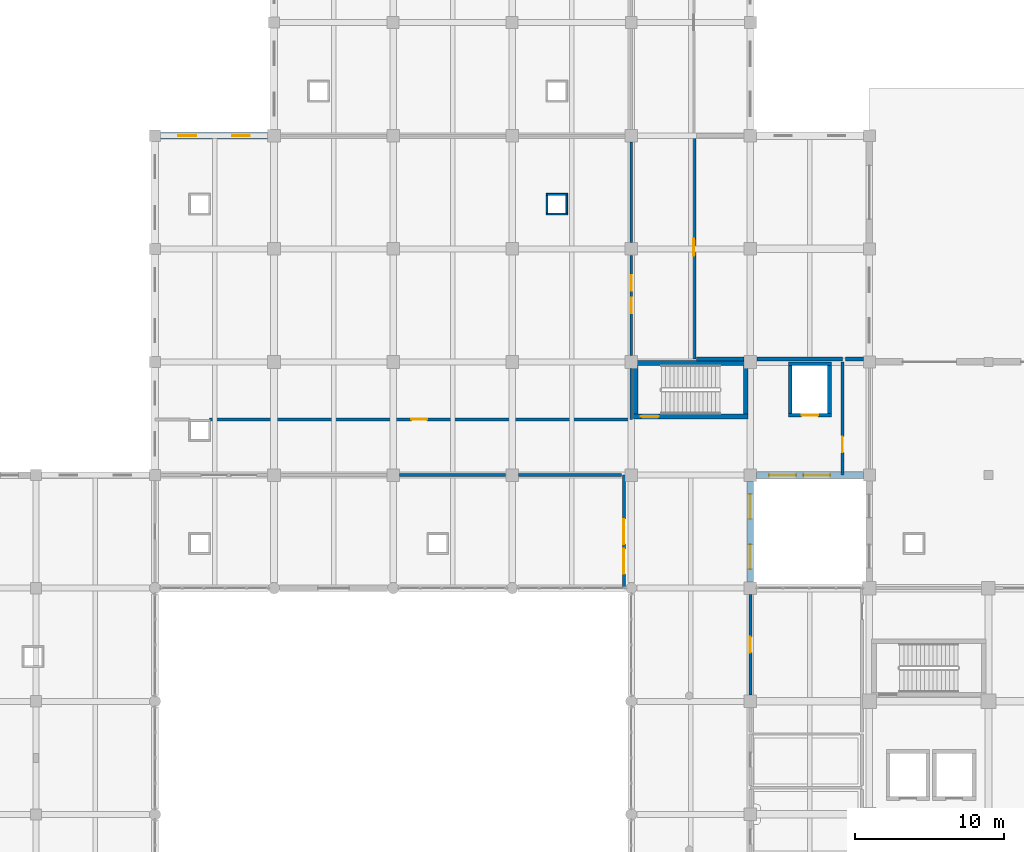
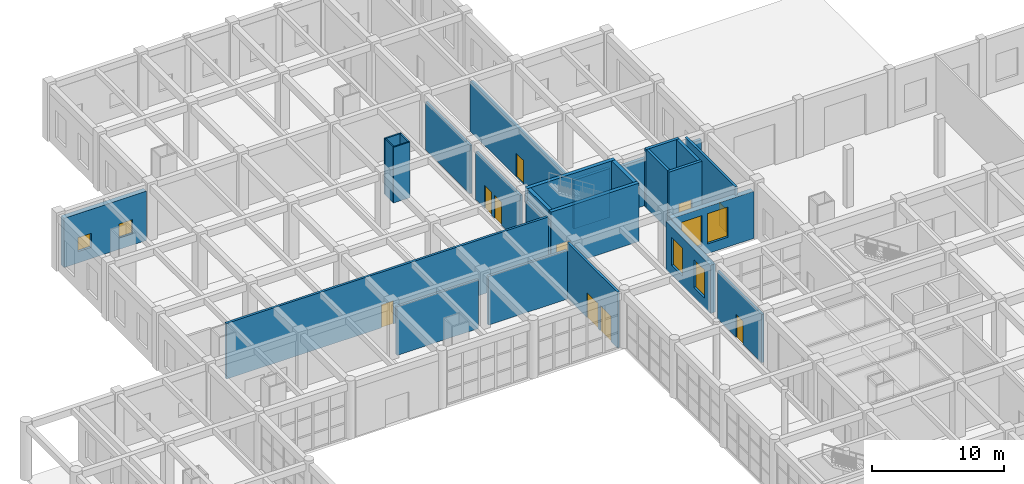
# One storey, part 76 of 95: 28 walls, 10 doors, 6 windows, 16 openings.
"""IFC4 building model written with IfcOpenShell, lengths in metres."""

from ifc_helpers import new_model, si_unit, direction, frame, frame_2d, origin, place, context, subcontext, project, spatial, rectangle, extrude, material, layer, layer_set, type_object, element, fill, save


model = new_model("IFC4")

# Units and contexts
model_context = context("Model", 3, precision=1e-05, world=origin(), true_north=direction((0.0, 1.0)))
body_context = subcontext(model_context, "Body", "Model", "MODEL_VIEW")
ifc_project = project(units=[si_unit("LENGTHUNIT", "METRE"), si_unit("AREAUNIT", "SQUARE_METRE"), si_unit("VOLUMEUNIT", "CUBIC_METRE"), si_unit("PLANEANGLEUNIT", "RADIAN"), si_unit("MASSUNIT", "GRAM", prefix="KILO")], contexts=[model_context])

# Site, building, storey
site_placement = place(None, origin())
site = spatial("IfcSite", under=ifc_project, at=site_placement, CompositionType="ELEMENT")
building_placement = place(site_placement, origin())
building = spatial("IfcBuilding", under=site, at=building_placement, Name="Zantavel Square City Hall", CompositionType="ELEMENT")
storey_placement = place(building_placement, origin())
storey = spatial("IfcBuildingStorey", under=building, at=storey_placement, Name="L01", CompositionType="ELEMENT", Elevation=0.0)

# Wall, opening, door
ifc_material_1 = material(Name="Concrete C35/45", Category="concrete")
ifc_layer_1 = layer(ifc_material_1, 0.280029296875, Name="Concrete C35/45")
ifc_layer_set_1 = layer_set([ifc_layer_1], Name="Concrete C35/45")
wall_type_1 = type_object("IfcWallType", Name="Archive & Substation Vault Wall 280mm", PredefinedType="STANDARD", material=ifc_layer_set_1)
wall_1_placement = place(storey_placement, frame((52.199951171875, 98.800048828125, 0.0), z_axis=(0.0, 0.0, 1.0), x_axis=(0.0, -1.0, 0.0)))
wall_1 = element("IfcWall", 1, at=wall_1_placement, inside=storey, type_object=wall_type_1, Name="L01 Interior Wall IW-L01-0070", PredefinedType="STANDARD", context=body_context, shape_type="SweptSolid", body=[
    extrude(rectangle(XDim=15.0, YDim=0.280029296875, at=frame_2d((7.5, 0.0))), origin(), (0.0, 0.0, 1.0), 4.659912109375),
])
opening_1_placement = place(wall_1_placement, frame((6.925048828125, 0.0, 0.0)))
opening_1 = element("IfcOpeningElement", 2, at=opening_1_placement, cuts=wall_1, Name="Opening D-0029", PredefinedType="OPENING", context=body_context, shape_type="SweptSolid", body=[
    extrude(rectangle(XDim=1.14990234375, YDim=2.199951171875, at=frame_2d((0.574951171875, 1.10009765625))), frame((0.0, 0.14990234375, 0.0), z_axis=(0.0, -1.0, 0.0), x_axis=(1.0, 0.0, 0.0)), (0.0, 0.0, 1.0), 0.300048828125),
])
ifc_material_2 = material(Name="Steel ASTM A500 Grade B", Category="steel")
door_type_1 = type_object("IfcDoorType", Name="Archive & Plant Fire Door 1150x2200 FD90S", OperationType="NOTDEFINED", PredefinedType="DOOR", material=ifc_material_2)
door_1_placement = place(opening_1_placement, origin())
door_1 = element("IfcDoor", 3, at=door_1_placement, inside=storey, type_object=door_type_1, Name="L01 Municipal Service Loading Dock Door", OperationType="SINGLE_SWING_LEFT", OverallHeight=2.199951171875, OverallWidth=1.14990234375, PredefinedType="DOOR", context=body_context, shape_type="SweptSolid", body=[
    extrude(rectangle(XDim=1.14990234375, YDim=2.199951171875, at=frame_2d((0.574951171875, 1.10009765625))), frame((0.0, 0.02490234375, 0.0), z_axis=(0.0, -1.0, 0.0), x_axis=(1.0, 0.0, 0.0)), (0.0, 0.0, 1.0), 0.050048828125),
])
fill(opening_1, door_1)

# Walls
wall_2_placement = place(storey_placement, frame((52.389892578125, 83.800048828125, 0.0), z_axis=(0.0, 0.0, 1.0), x_axis=(1.0, 0.0, 0.0)))
element("IfcWall", 4, at=wall_2_placement, inside=storey, type_object=wall_type_1, Name="L01 Interior Wall IW-L01-0087", PredefinedType="STANDARD", context=body_context, shape_type="SweptSolid", body=[
    extrude(rectangle(XDim=3.175048828125, YDim=0.280029296875, at=frame_2d((1.58740234375, 0.0))), origin(), (0.0, 0.0, 1.0), 4.510009765625),
])
wall_3_placement = place(storey_placement, frame((56.43505859375, 83.800048828125, 0.0), z_axis=(0.0, 0.0, 1.0), x_axis=(1.0, 0.0, 0.0)))
element("IfcWall", 5, at=wall_3_placement, inside=storey, type_object=wall_type_1, Name="L01 Interior Wall IW-L01-0088", PredefinedType="STANDARD", context=body_context, shape_type="SweptSolid", body=[
    extrude(rectangle(XDim=5.764892578125, YDim=0.280029296875, at=frame_2d((2.88232421875, 0.0))), origin(), (0.0, 0.0, 1.0), 4.360107421875),
])
wall_4_placement = place(storey_placement, frame((63.590087890625, 83.800048828125, 0.0), z_axis=(0.0, 0.0, 1.0), x_axis=(-1.0, 0.0, 0.0)))
element("IfcWall", 6, at=wall_4_placement, inside=storey, type_object=wall_type_1, Name="L01 Interior Wall IW-L01-0102", PredefinedType="STANDARD", context=body_context, shape_type="SweptSolid", body=[
    extrude(rectangle(XDim=1.2001953125, YDim=0.280029296875, at=frame_2d((0.60009765625, 0.0))), origin(), (0.0, 0.0, 1.0), 4.360107421875),
])

# Wall, opening, door
ifc_material_3 = material(Name="Concrete C40/50", Category="concrete")
ifc_layer_2 = layer(ifc_material_3, 0.320068359375, Name="Concrete C40/50")
ifc_layer_set_2 = layer_set([ifc_layer_2], Name="Concrete C40/50")
wall_type_2 = type_object("IfcWallType", Name="Core Shear Wall RC 320mm C40/50", PredefinedType="SHEAR", material=ifc_layer_set_2)
wall_5_placement = place(storey_placement, frame((55.85009765625, 79.93994140625, 0.0), z_axis=(0.0, 0.0, 1.0), x_axis=(-1.0, 0.0, 0.0)))
wall_5 = element("IfcWall", 7, at=wall_5_placement, inside=storey, type_object=wall_type_2, Name="L01 Exit Stair 1 North-West Core Shear Wall South", PredefinedType="SHEAR", context=body_context, shape_type="SweptSolid", body=[
    extrude(rectangle(XDim=7.7001953125, YDim=0.320068359375, at=frame_2d((3.85009765625, 0.0))), origin(), (0.0, 0.0, 1.0), 5.39990234375),
])
opening_2_placement = place(wall_5_placement, frame((6.0, 0.0, 0.0)))
opening_2 = element("IfcOpeningElement", 8, at=opening_2_placement, cuts=wall_5, Name="Opening SD-002", PredefinedType="OPENING", context=body_context, shape_type="SweptSolid", body=[
    extrude(rectangle(XDim=1.199951171875, YDim=2.199951171875, at=frame_2d((0.60009765625, 1.10009765625))), frame((0.0, 0.169921875, 0.0), z_axis=(0.0, -1.0, 0.0), x_axis=(1.0, 0.0, 0.0)), (0.0, 0.0, 1.0), 0.340087890625),
])
door_type_2 = type_object("IfcDoorType", Name="Enclosed Exit Stairwell Fire Door 1200x2200 FD90S", OperationType="NOTDEFINED", PredefinedType="DOOR", material=ifc_material_2)
door_2_placement = place(opening_2_placement, origin())
door_2 = element("IfcDoor", 9, at=door_2_placement, inside=storey, type_object=door_type_2, Name="L01 Exit Stair 1 North-West Core Fire Door", OperationType="SINGLE_SWING_RIGHT", OverallHeight=2.199951171875, OverallWidth=1.199951171875, PredefinedType="DOOR", context=body_context, shape_type="SweptSolid", body=[
    extrude(rectangle(XDim=1.199951171875, YDim=2.199951171875, at=frame_2d((0.60009765625, 1.10009765625))), frame((0.0, 0.02490234375, 0.0), z_axis=(0.0, -1.0, 0.0), x_axis=(1.0, 0.0, 0.0)), (0.0, 0.0, 1.0), 0.050048828125),
])
fill(opening_2, door_2)

# Walls
wall_6_placement = place(storey_placement, frame((48.31005859375, 80.10009765625, 0.0), z_axis=(0.0, 0.0, 1.0), x_axis=(0.0, 1.0, 0.0)))
element("IfcWall", 10, at=wall_6_placement, inside=storey, type_object=wall_type_2, Name="L01 Exit Stair 1 North-West Core Shear Wall West", PredefinedType="SHEAR", context=body_context, shape_type="SweptSolid", body=[
    extrude(rectangle(XDim=3.27001953125, YDim=0.320068359375, at=frame_2d((1.635009765625, 0.0))), origin(), (0.0, 0.0, 1.0), 5.39990234375),
])
wall_7_placement = place(storey_placement, frame((48.14990234375, 83.530029296875, 0.0), z_axis=(0.0, 0.0, 1.0), x_axis=(1.0, 0.0, 0.0)))
element("IfcWall", 11, at=wall_7_placement, inside=storey, type_object=wall_type_2, Name="L01 Exit Stair 1 North-West Core Shear Wall North", PredefinedType="SHEAR", context=body_context, shape_type="SweptSolid", body=[
    extrude(rectangle(XDim=7.7001953125, YDim=0.320068359375, at=frame_2d((3.85009765625, 0.0))), origin(), (0.0, 0.0, 1.0), 5.39990234375),
])
wall_8_placement = place(storey_placement, frame((55.68994140625, 83.3701171875, 0.0), z_axis=(0.0, 0.0, 1.0), x_axis=(0.0, -1.0, 0.0)))
element("IfcWall", 12, at=wall_8_placement, inside=storey, type_object=wall_type_2, Name="L01 Exit Stair 1 North-West Core Shear Wall East", PredefinedType="SHEAR", context=body_context, shape_type="SweptSolid", body=[
    extrude(rectangle(XDim=3.27001953125, YDim=0.320068359375, at=frame_2d((1.635009765625, 0.0))), origin(), (0.0, 0.0, 1.0), 5.39990234375),
])

# Wall, openings, doors
ifc_material_4 = material(Name="Cantera volcanic tuff stone", Category="masonry")
ifc_layer_3 = layer(ifc_material_4, 0.199951171875, Name="Cantera volcanic tuff stone")
ifc_layer_set_3 = layer_set([ifc_layer_3], Name="Cantera volcanic tuff stone")
wall_type_3 = type_object("IfcWallType", Name="Exit Corridor Rated Wall 200mm", PredefinedType="STANDARD", material=ifc_layer_set_3)
wall_9_placement = place(storey_placement, frame((48.0, 84.034912109375, 0.0), z_axis=(0.0, 0.0, 1.0), x_axis=(0.0, 1.0, 0.0)))
wall_9 = element("IfcWall", 13, at=wall_9_placement, inside=storey, type_object=wall_type_3, Name="L01 Interior Wall IW-L01-0071", PredefinedType="STANDARD", context=body_context, shape_type="SweptSolid", body=[
    extrude(rectangle(XDim=6.72998046875, YDim=0.199951171875, at=frame_2d((3.364990234375, 0.0))), origin(), (0.0, 0.0, 1.0), 4.4599609375),
])
opening_3_placement = place(wall_9_placement, frame((2.840087890625, 0.0, 0.0)))
opening_3 = element("IfcOpeningElement", 14, at=opening_3_placement, cuts=wall_9, Name="Opening D-0030", PredefinedType="OPENING", context=body_context, shape_type="SweptSolid", body=[
    extrude(rectangle(XDim=1.050048828125, YDim=2.14990234375, at=frame_2d((0.52490234375, 1.074951171875))), frame((0.0, 0.10986328125, 0.0), z_axis=(0.0, -1.0, 0.0), x_axis=(1.0, 0.0, 0.0)), (0.0, 0.0, 1.0), 0.219970703125),
])
opening_4_placement = place(wall_9_placement, frame((4.340087890625, 0.0, 0.0)))
opening_4 = element("IfcOpeningElement", 15, at=opening_4_placement, cuts=wall_9, Name="Opening D-0063", PredefinedType="OPENING", context=body_context, shape_type="SweptSolid", body=[
    extrude(rectangle(XDim=1.050048828125, YDim=2.14990234375, at=frame_2d((0.52490234375, 1.074951171875))), frame((0.0, 0.10986328125, 0.0), z_axis=(0.0, -1.0, 0.0), x_axis=(1.0, 0.0, 0.0)), (0.0, 0.0, 1.0), 0.219970703125),
])
ifc_material_5 = material(Name="Solid oak hardwood", Category="wood")
door_type_3 = type_object("IfcDoorType", Name="Corridor Office Oak Fire Door 1050x2150 FD60S", OperationType="NOTDEFINED", PredefinedType="DOOR", material=ifc_material_5)
door_3_placement = place(opening_3_placement, origin())
door_3 = element("IfcDoor", 16, at=door_3_placement, inside=storey, type_object=door_type_3, Name="L01 Central Mailroom and Records Intake Door", OperationType="SINGLE_SWING_RIGHT", OverallHeight=2.14990234375, OverallWidth=1.050048828125, PredefinedType="DOOR", context=body_context, shape_type="SweptSolid", body=[
    extrude(rectangle(XDim=1.050048828125, YDim=2.14990234375, at=frame_2d((0.52490234375, 1.074951171875))), frame((0.0, 0.02490234375, 0.0), z_axis=(0.0, -1.0, 0.0), x_axis=(1.0, 0.0, 0.0)), (0.0, 0.0, 1.0), 0.050048828125),
])
fill(opening_3, door_3)
door_4_placement = place(opening_4_placement, origin())
door_4 = element("IfcDoor", 17, at=door_4_placement, inside=storey, type_object=door_type_3, Name="L01 Central Mailroom and Records Intake Door", OperationType="SINGLE_SWING_LEFT", OverallHeight=2.14990234375, OverallWidth=1.050048828125, PredefinedType="DOOR", context=body_context, shape_type="SweptSolid", body=[
    extrude(rectangle(XDim=1.050048828125, YDim=2.14990234375, at=frame_2d((0.52490234375, 1.074951171875))), frame((0.0, 0.02490234375, 0.0), z_axis=(0.0, -1.0, 0.0), x_axis=(1.0, 0.0, 0.0)), (0.0, 0.0, 1.0), 0.050048828125),
])
fill(opening_4, door_4)

# Walls
wall_10_placement = place(storey_placement, frame((48.0, 91.635009765625, 0.0), z_axis=(0.0, 0.0, 1.0), x_axis=(0.0, 1.0, 0.0)))
element("IfcWall", 18, at=wall_10_placement, inside=storey, type_object=wall_type_3, Name="L01 Interior Wall IW-L01-0072", PredefinedType="STANDARD", context=body_context, shape_type="SweptSolid", body=[
    extrude(rectangle(XDim=6.72998046875, YDim=0.199951171875, at=frame_2d((3.364990234375, 0.0))), origin(), (0.0, 0.0, 1.0), 4.4599609375),
])
wall_11_placement = place(storey_placement, frame((48.0, 79.75, 0.0), z_axis=(0.0, 0.0, 1.0), x_axis=(0.0, 1.0, 0.0)))
element("IfcWall", 19, at=wall_11_placement, inside=storey, type_object=wall_type_3, Name="L01 Interior Wall IW-L01-0089", PredefinedType="STANDARD", context=body_context, shape_type="SweptSolid", body=[
    extrude(rectangle(XDim=3.4150390625, YDim=0.199951171875, at=frame_2d((1.70751953125, 0.0))), origin(), (0.0, 0.0, 1.0), 4.4599609375),
])

# Wall, opening, door
wall_12_placement = place(storey_placement, frame((62.199951171875, 83.610107421875, 0.0), z_axis=(0.0, 0.0, 1.0), x_axis=(0.0, -1.0, 0.0)))
wall_12 = element("IfcWall", 20, at=wall_12_placement, inside=storey, type_object=wall_type_3, Name="L01 Interior Wall IW-L01-0090", PredefinedType="STANDARD", context=body_context, shape_type="SweptSolid", body=[
    extrude(rectangle(XDim=7.610107421875, YDim=0.199951171875, at=frame_2d((3.80517578125, 0.0))), origin(), (0.0, 0.0, 1.0), 5.159912109375),
])
opening_5_placement = place(wall_12_placement, frame((5.030029296875, 0.0, 0.0)))
opening_5 = element("IfcOpeningElement", 21, at=opening_5_placement, cuts=wall_12, Name="Opening D-0040", PredefinedType="OPENING", context=body_context, shape_type="SweptSolid", body=[
    extrude(rectangle(XDim=1.050048828125, YDim=2.14990234375, at=frame_2d((0.52490234375, 1.074951171875))), frame((0.0, 0.10986328125, 0.0), z_axis=(0.0, -1.0, 0.0), x_axis=(1.0, 0.0, 0.0)), (0.0, 0.0, 1.0), 0.219970703125),
])
door_5_placement = place(opening_5_placement, origin())
door_5 = element("IfcDoor", 22, at=door_5_placement, inside=storey, type_object=door_type_3, Name="L01 L01 Municipal Support Office 9 Door", OperationType="SINGLE_SWING_RIGHT", OverallHeight=2.14990234375, OverallWidth=1.050048828125, PredefinedType="DOOR", context=body_context, shape_type="SweptSolid", body=[
    extrude(rectangle(XDim=1.050048828125, YDim=2.14990234375, at=frame_2d((0.52490234375, 1.074951171875))), frame((0.0, 0.02490234375, 0.0), z_axis=(0.0, -1.0, 0.0), x_axis=(1.0, 0.0, 0.0)), (0.0, 0.0, 1.0), 0.050048828125),
])
fill(opening_5, door_5)

# Wall, openings, doors
wall_13_placement = place(storey_placement, frame((47.5, 76.0, 0.0), z_axis=(0.0, 0.0, 1.0), x_axis=(0.0, -1.0, 0.0)))
wall_13 = element("IfcWall", 23, at=wall_13_placement, inside=storey, type_object=wall_type_3, Name="L01 Interior Wall IW-L01-0104", PredefinedType="STANDARD", context=body_context, shape_type="SweptSolid", body=[
    extrude(rectangle(XDim=7.60009765625, YDim=0.199951171875, at=frame_2d((3.800048828125, 0.0))), origin(), (0.0, 0.0, 1.0), 5.159912109375),
])
opening_6_placement = place(wall_13_placement, frame((2.9599609375, 0.0, 0.0)))
opening_6 = element("IfcOpeningElement", 24, at=opening_6_placement, cuts=wall_13, Name="Opening D-0042", PredefinedType="OPENING", context=body_context, shape_type="SweptSolid", body=[
    extrude(rectangle(XDim=1.679931640625, YDim=2.340087890625, at=frame_2d((0.83984375, 1.169921875))), frame((0.0, 0.10986328125, 0.0), z_axis=(0.0, -1.0, 0.0), x_axis=(1.0, 0.0, 0.0)), (0.0, 0.0, 1.0), 0.219970703125),
])
opening_7_placement = place(wall_13_placement, frame((4.9599609375, 0.0, 0.0)))
opening_7 = element("IfcOpeningElement", 25, at=opening_7_placement, cuts=wall_13, Name="Opening D-0067", PredefinedType="OPENING", context=body_context, shape_type="SweptSolid", body=[
    extrude(rectangle(XDim=1.679931640625, YDim=2.340087890625, at=frame_2d((0.83984375, 1.169921875))), frame((0.0, 0.10986328125, 0.0), z_axis=(0.0, -1.0, 0.0), x_axis=(1.0, 0.0, 0.0)), (0.0, 0.0, 1.0), 0.219970703125),
])
door_type_4 = type_object("IfcDoorType", Name="Dining Servery Double Fire Door 1680x2340 FD60S", OperationType="NOTDEFINED", PredefinedType="DOOR", material=ifc_material_5)
door_6_placement = place(opening_6_placement, origin())
door_6 = element("IfcDoor", 26, at=door_6_placement, inside=storey, type_object=door_type_4, Name="L01 Public Courtyard Cafe Door", OperationType="DOUBLE_DOOR_SINGLE_SWING", OverallHeight=2.340087890625, OverallWidth=1.679931640625, PredefinedType="DOOR", context=body_context, shape_type="SweptSolid", body=[
    extrude(rectangle(XDim=1.679931640625, YDim=2.340087890625, at=frame_2d((0.83984375, 1.169921875))), frame((0.0, 0.02490234375, 0.0), z_axis=(0.0, -1.0, 0.0), x_axis=(1.0, 0.0, 0.0)), (0.0, 0.0, 1.0), 0.050048828125),
])
fill(opening_6, door_6)
door_7_placement = place(opening_7_placement, origin())
door_7 = element("IfcDoor", 27, at=door_7_placement, inside=storey, type_object=door_type_4, Name="L01 Public Courtyard Cafe Door", OperationType="DOUBLE_DOOR_SINGLE_SWING", OverallHeight=2.340087890625, OverallWidth=1.679931640625, PredefinedType="DOOR", context=body_context, shape_type="SweptSolid", body=[
    extrude(rectangle(XDim=1.679931640625, YDim=2.340087890625, at=frame_2d((0.83984375, 1.169921875))), frame((0.0, 0.02490234375, 0.0), z_axis=(0.0, -1.0, 0.0), x_axis=(1.0, 0.0, 0.0)), (0.0, 0.0, 1.0), 0.050048828125),
])
fill(opening_7, door_7)

# Walls
wall_14_placement = place(storey_placement, frame((32.43505859375, 76.0, 0.0), z_axis=(0.0, 0.0, 1.0), x_axis=(1.0, 0.0, 0.0)))
element("IfcWall", 28, at=wall_14_placement, inside=storey, type_object=wall_type_3, Name="L01 Interior Wall IW-L01-0107", PredefinedType="STANDARD", context=body_context, shape_type="SweptSolid", body=[
    extrude(rectangle(XDim=7.1298828125, YDim=0.199951171875, at=frame_2d((3.56494140625, 0.0))), origin(), (0.0, 0.0, 1.0), 4.510009765625),
])
wall_15_placement = place(storey_placement, frame((40.43505859375, 76.0, 0.0), z_axis=(0.0, 0.0, 1.0), x_axis=(1.0, 0.0, 0.0)))
element("IfcWall", 29, at=wall_15_placement, inside=storey, type_object=wall_type_3, Name="L01 Interior Wall IW-L01-0108", PredefinedType="STANDARD", context=body_context, shape_type="SweptSolid", body=[
    extrude(rectangle(XDim=6.9150390625, YDim=0.199951171875, at=frame_2d((3.45751953125, 0.0))), origin(), (0.0, 0.0, 1.0), 4.510009765625),
])

# Wall, opening, door
wall_16_placement = place(storey_placement, frame((47.85009765625, 79.75, 0.0), z_axis=(0.0, 0.0, 1.0), x_axis=(-1.0, 0.0, 0.0)))
wall_16 = element("IfcWall", 30, at=wall_16_placement, inside=storey, type_object=wall_type_3, Name="L01 Interior Wall IW-L01-0117", PredefinedType="STANDARD", context=body_context, shape_type="SweptSolid", body=[
    extrude(rectangle(XDim=28.195068359375, YDim=0.199951171875, at=frame_2d((14.09765625, 0.0))), origin(), (0.0, 0.0, 1.0), 5.159912109375),
])
opening_8_placement = place(wall_16_placement, frame((13.572509765625, 0.0, 0.0)))
opening_8 = element("IfcOpeningElement", 31, at=opening_8_placement, cuts=wall_16, Name="Opening D-0044", PredefinedType="OPENING", context=body_context, shape_type="SweptSolid", body=[
    extrude(rectangle(XDim=1.050048828125, YDim=2.14990234375, at=frame_2d((0.52490234375, 1.074951171875))), frame((0.0, 0.10986328125, 0.0), z_axis=(0.0, -1.0, 0.0), x_axis=(1.0, 0.0, 0.0)), (0.0, 0.0, 1.0), 0.219970703125),
])
door_8_placement = place(opening_8_placement, origin())
door_8 = element("IfcDoor", 32, at=door_8_placement, inside=storey, type_object=door_type_3, Name="L01 Central Mailroom and Records Intake Door", OperationType="SINGLE_SWING_RIGHT", OverallHeight=2.14990234375, OverallWidth=1.050048828125, PredefinedType="DOOR", context=body_context, shape_type="SweptSolid", body=[
    extrude(rectangle(XDim=1.050048828125, YDim=2.14990234375, at=frame_2d((0.52490234375, 1.074951171875))), frame((0.0, 0.02490234375, 0.0), z_axis=(0.0, -1.0, 0.0), x_axis=(1.0, 0.0, 0.0)), (0.0, 0.0, 1.0), 0.050048828125),
])
fill(opening_8, door_8)

wall_17_placement = place(storey_placement, frame((56.0, 67.965087890625, 0.0), z_axis=(0.0, 0.0, 1.0), x_axis=(0.0, -1.0, 0.0)))
wall_17 = element("IfcWall", 33, at=wall_17_placement, inside=storey, type_object=wall_type_3, Name="L01 Interior Wall IW-L01-0146", PredefinedType="STANDARD", context=body_context, shape_type="SweptSolid", body=[
    extrude(rectangle(XDim=6.72998046875, YDim=0.199951171875, at=frame_2d((3.364990234375, 0.0))), origin(), (0.0, 0.0, 1.0), 4.4599609375),
])
opening_9_placement = place(wall_17_placement, frame((2.840087890625, 0.0, 0.0)))
opening_9 = element("IfcOpeningElement", 34, at=opening_9_placement, cuts=wall_17, Name="Opening D-0054", PredefinedType="OPENING", context=body_context, shape_type="SweptSolid", body=[
    extrude(rectangle(XDim=1.050048828125, YDim=2.14990234375, at=frame_2d((0.52490234375, 1.074951171875))), frame((0.0, 0.10986328125, 0.0), z_axis=(0.0, -1.0, 0.0), x_axis=(1.0, 0.0, 0.0)), (0.0, 0.0, 1.0), 0.219970703125),
])
door_9_placement = place(opening_9_placement, origin())
door_9 = element("IfcDoor", 35, at=door_9_placement, inside=storey, type_object=door_type_3, Name="L01 L01 Municipal Support Office 2 Door", OperationType="SINGLE_SWING_RIGHT", OverallHeight=2.14990234375, OverallWidth=1.050048828125, PredefinedType="DOOR", context=body_context, shape_type="SweptSolid", body=[
    extrude(rectangle(XDim=1.050048828125, YDim=2.14990234375, at=frame_2d((0.52490234375, 1.074951171875))), frame((0.0, 0.02490234375, 0.0), z_axis=(0.0, -1.0, 0.0), x_axis=(1.0, 0.0, 0.0)), (0.0, 0.0, 1.0), 0.050048828125),
])
fill(opening_9, door_9)

ifc_layer_4 = layer(ifc_material_3, 0.25, Name="Concrete C40/50")
ifc_layer_set_4 = layer_set([ifc_layer_4], Name="Concrete C40/50")
wall_type_4 = type_object("IfcWallType", Name="Lift Shaft Wall RC 250mm C40/50", PredefinedType="SHEAR", material=ifc_layer_set_4)
wall_18_placement = place(storey_placement, frame((61.449951171875, 80.02490234375, 0.0), z_axis=(0.0, 0.0, 1.0), x_axis=(-1.0, 0.0, 0.0)))
wall_18 = element("IfcWall", 36, at=wall_18_placement, inside=storey, type_object=wall_type_4, Name="L01 Lift LF05 Shaft Wall South", PredefinedType="SHEAR", context=body_context, shape_type="SweptSolid", body=[
    extrude(rectangle(XDim=2.89990234375, YDim=0.25, at=frame_2d((1.449951171875, 0.0))), origin(), (0.0, 0.0, 1.0), 5.39990234375),
])
opening_10_placement = place(wall_18_placement, frame((0.89990234375, 0.0, 0.0)))
opening_10 = element("IfcOpeningElement", 37, at=opening_10_placement, cuts=wall_18, Name="Opening LD-LF05-L01", PredefinedType="OPENING", context=body_context, shape_type="SweptSolid", body=[
    extrude(rectangle(XDim=1.10009765625, YDim=2.14990234375, at=frame_2d((0.550048828125, 1.074951171875))), frame((0.0, 0.135009765625, 0.0), z_axis=(0.0, -1.0, 0.0), x_axis=(1.0, 0.0, 0.0)), (0.0, 0.0, 1.0), 0.27001953125),
])
ifc_material_6 = material(Name="Stainless steel 316", Category="steel")
door_type_5 = type_object("IfcDoorType", Name="Lift Landing Sliding Door 1100x2150 FD90S", OperationType="NOTDEFINED", PredefinedType="DOOR", material=ifc_material_6)
door_10_placement = place(opening_10_placement, origin())
door_10 = element("IfcDoor", 38, at=door_10_placement, inside=storey, type_object=door_type_5, Name="L01 Lift LF05 Sliding Landing Door", OperationType="DOUBLE_DOOR_SLIDING", OverallHeight=2.14990234375, OverallWidth=1.10009765625, PredefinedType="DOOR", context=body_context, shape_type="SweptSolid", body=[
    extrude(rectangle(XDim=1.10009765625, YDim=2.14990234375, at=frame_2d((0.550048828125, 1.074951171875))), frame((0.0, 0.02490234375, 0.0), z_axis=(0.0, -1.0, 0.0), x_axis=(1.0, 0.0, 0.0)), (0.0, 0.0, 1.0), 0.050048828125),
])
fill(opening_10, door_10)

# Walls
wall_19_placement = place(storey_placement, frame((58.675048828125, 80.14990234375, 0.0), z_axis=(0.0, 0.0, 1.0), x_axis=(0.0, 1.0, 0.0)))
element("IfcWall", 39, at=wall_19_placement, inside=storey, type_object=wall_type_4, Name="L01 Lift LF05 Shaft Wall West", PredefinedType="SHEAR", context=body_context, shape_type="SweptSolid", body=[
    extrude(rectangle(XDim=3.2001953125, YDim=0.25, at=frame_2d((1.60009765625, 0.0))), origin(), (0.0, 0.0, 1.0), 5.39990234375),
])
wall_20_placement = place(storey_placement, frame((58.550048828125, 83.47509765625, 0.0), z_axis=(0.0, 0.0, 1.0), x_axis=(1.0, 0.0, 0.0)))
element("IfcWall", 40, at=wall_20_placement, inside=storey, type_object=wall_type_4, Name="L01 Lift LF05 Shaft Wall North", PredefinedType="SHEAR", context=body_context, shape_type="SweptSolid", body=[
    extrude(rectangle(XDim=2.89990234375, YDim=0.25, at=frame_2d((1.449951171875, 0.0))), origin(), (0.0, 0.0, 1.0), 5.39990234375),
])
wall_21_placement = place(storey_placement, frame((61.324951171875, 83.35009765625, 0.0), z_axis=(0.0, 0.0, 1.0), x_axis=(0.0, -1.0, 0.0)))
element("IfcWall", 41, at=wall_21_placement, inside=storey, type_object=wall_type_4, Name="L01 Lift LF05 Shaft Wall East", PredefinedType="SHEAR", context=body_context, shape_type="SweptSolid", body=[
    extrude(rectangle(XDim=3.2001953125, YDim=0.25, at=frame_2d((1.60009765625, 0.0))), origin(), (0.0, 0.0, 1.0), 5.39990234375),
])
ifc_layer_5 = layer(ifc_material_1, 0.1201171875, Name="Concrete C35/45")
ifc_layer_set_5 = layer_set([ifc_layer_5], Name="Concrete C35/45")
wall_type_5 = type_object("IfcWallType", Name="Riser Chase Wall RC 120mm C35/45", PredefinedType="PARTITIONING", material=ifc_layer_set_5)
wall_22_placement = place(storey_placement, frame((43.719970703125, 93.5400390625, 0.0), z_axis=(0.0, 0.0, 1.0), x_axis=(-1.0, 0.0, 0.0)))
element("IfcWall", 42, at=wall_22_placement, inside=storey, type_object=wall_type_5, Name="L01 MEP Riser 28 Wall S", PredefinedType="PARTITIONING", context=body_context, shape_type="SweptSolid", body=[
    extrude(rectangle(XDim=1.43994140625, YDim=0.1201171875, at=frame_2d((0.719970703125, 0.0))), origin(), (0.0, 0.0, 1.0), 5.159912109375),
])
wall_23_placement = place(storey_placement, frame((42.340087890625, 93.60009765625, 0.0), z_axis=(0.0, 0.0, 1.0), x_axis=(0.0, 1.0, 0.0)))
element("IfcWall", 43, at=wall_23_placement, inside=storey, type_object=wall_type_5, Name="L01 MEP Riser 28 Wall W", PredefinedType="PARTITIONING", context=body_context, shape_type="SweptSolid", body=[
    extrude(rectangle(XDim=1.199951171875, YDim=0.1201171875, at=frame_2d((0.60009765625, 0.0))), origin(), (0.0, 0.0, 1.0), 5.159912109375),
])
wall_24_placement = place(storey_placement, frame((42.280029296875, 94.860107421875, 0.0), z_axis=(0.0, 0.0, 1.0), x_axis=(1.0, 0.0, 0.0)))
element("IfcWall", 44, at=wall_24_placement, inside=storey, type_object=wall_type_5, Name="L01 MEP Riser 28 Wall N", PredefinedType="PARTITIONING", context=body_context, shape_type="SweptSolid", body=[
    extrude(rectangle(XDim=1.43994140625, YDim=0.1201171875, at=frame_2d((0.719970703125, 0.0))), origin(), (0.0, 0.0, 1.0), 5.159912109375),
])
wall_25_placement = place(storey_placement, frame((43.659912109375, 94.800048828125, 0.0), z_axis=(0.0, 0.0, 1.0), x_axis=(0.0, -1.0, 0.0)))
element("IfcWall", 45, at=wall_25_placement, inside=storey, type_object=wall_type_5, Name="L01 MEP Riser 28 Wall E", PredefinedType="PARTITIONING", context=body_context, shape_type="SweptSolid", body=[
    extrude(rectangle(XDim=1.199951171875, YDim=0.1201171875, at=frame_2d((0.60009765625, 0.0))), origin(), (0.0, 0.0, 1.0), 5.159912109375),
])

# Wall, openings, windows
ifc_material_7 = material(Name="Tezontle volcanic basaltic scoria stone", Category="masonry")
ifc_layer_6 = layer(ifc_material_7, 0.43994140625, Name="Tezontle volcanic basaltic scoria stone")
ifc_layer_set_6 = layer_set([ifc_layer_6], Name="Tezontle volcanic basaltic scoria stone")
wall_type_6 = type_object("IfcWallType", Name="Tezontle Rusticated Plinth Wall 440mm", PredefinedType="STANDARD", material=ifc_layer_set_6)
wall_26_placement = place(storey_placement, frame((16.375, 98.800048828125, 0.0), z_axis=(0.0, 0.0, 1.0), x_axis=(1.0, 0.0, 0.0)))
wall_26 = element("IfcWall", 46, at=wall_26_placement, inside=storey, type_object=wall_type_6, Name="L01 Exterior Wall EW-L01-008", PredefinedType="STANDARD", context=body_context, shape_type="SweptSolid", body=[
    extrude(rectangle(XDim=7.199951171875, YDim=0.43994140625, at=frame_2d((3.60009765625, 0.0))), origin(), (0.0, 0.0, 1.0), 4.56005859375),
])
opening_11_placement = place(wall_26_placement, frame((1.199951171875, 0.0, 1.050048828125)))
opening_11 = element("IfcOpeningElement", 47, at=opening_11_placement, cuts=wall_26, Name="Opening W-014", PredefinedType="OPENING", context=body_context, shape_type="SweptSolid", body=[
    extrude(rectangle(XDim=1.199951171875, YDim=1.300048828125, at=frame_2d((0.60009765625, 0.64990234375))), frame((0.0, 0.22998046875, 0.0), z_axis=(0.0, -1.0, 0.0), x_axis=(1.0, 0.0, 0.0)), (0.0, 0.0, 1.0), 0.4599609375),
])
opening_12_placement = place(wall_26_placement, frame((4.800048828125, 0.0, 1.050048828125)))
opening_12 = element("IfcOpeningElement", 48, at=opening_12_placement, cuts=wall_26, Name="Opening W-015", PredefinedType="OPENING", context=body_context, shape_type="SweptSolid", body=[
    extrude(rectangle(XDim=1.199951171875, YDim=1.300048828125, at=frame_2d((0.60009765625, 0.64990234375))), frame((0.0, 0.22998046875, 0.0), z_axis=(0.0, -1.0, 0.0), x_axis=(1.0, 0.0, 0.0)), (0.0, 0.0, 1.0), 0.4599609375),
])
ifc_material_8 = material(Name="Tempered safety glass low-E double glazing", Category="glass")
window_type_1 = type_object("IfcWindowType", Name="Window Mailroom Clerestory 1200x1300", PartitioningType="SINGLE_PANEL", PredefinedType="WINDOW", material=ifc_material_8)
window_1_placement = place(opening_11_placement, origin())
window_1 = element("IfcWindow", 49, at=window_1_placement, inside=storey, type_object=window_type_1, Name="L01 Window W-014", OverallHeight=1.300048828125, OverallWidth=1.199951171875, PartitioningType="SINGLE_PANEL", PredefinedType="WINDOW", context=body_context, shape_type="SweptSolid", body=[
    extrude(rectangle(XDim=1.199951171875, YDim=1.300048828125, at=frame_2d((0.60009765625, 0.64990234375))), frame((0.0, 0.030029296875, 0.0), z_axis=(0.0, -1.0, 0.0), x_axis=(1.0, 0.0, 0.0)), (0.0, 0.0, 1.0), 0.06005859375),
])
fill(opening_11, window_1)
window_2_placement = place(opening_12_placement, origin())
window_2 = element("IfcWindow", 50, at=window_2_placement, inside=storey, type_object=window_type_1, Name="L01 Window W-015", OverallHeight=1.300048828125, OverallWidth=1.199951171875, PartitioningType="SINGLE_PANEL", PredefinedType="WINDOW", context=body_context, shape_type="SweptSolid", body=[
    extrude(rectangle(XDim=1.199951171875, YDim=1.300048828125, at=frame_2d((0.60009765625, 0.64990234375))), frame((0.0, 0.030029296875, 0.0), z_axis=(0.0, -1.0, 0.0), x_axis=(1.0, 0.0, 0.0)), (0.0, 0.0, 1.0), 0.06005859375),
])
fill(opening_12, window_2)

wall_27_placement = place(storey_placement, frame((56.0, 75.574951171875, 0.0), z_axis=(0.0, 0.0, 1.0), x_axis=(0.0, -1.0, 0.0)))
wall_27 = element("IfcWall", 51, at=wall_27_placement, inside=storey, type_object=wall_type_6, Name="L01 Exterior Wall EW-L01-101", PredefinedType="STANDARD", context=body_context, shape_type="SweptSolid", body=[
    extrude(rectangle(XDim=6.75, YDim=0.43994140625, at=frame_2d((3.375, 0.0))), origin(), (0.0, 0.0, 1.0), 4.4599609375),
])
opening_13_placement = place(wall_27_placement, frame((0.862548828125, 0.0, 0.89990234375)))
opening_13 = element("IfcOpeningElement", 52, at=opening_13_placement, cuts=wall_27, Name="Opening W-137", PredefinedType="OPENING", context=body_context, shape_type="SweptSolid", body=[
    extrude(rectangle(XDim=1.64990234375, YDim=2.60009765625, at=frame_2d((0.824951171875, 1.300048828125))), frame((0.0, 0.22998046875, 0.0), z_axis=(0.0, -1.0, 0.0), x_axis=(1.0, 0.0, 0.0)), (0.0, 0.0, 1.0), 0.4599609375),
])
opening_14_placement = place(wall_27_placement, frame((4.237548828125, 0.0, 0.89990234375)))
opening_14 = element("IfcOpeningElement", 53, at=opening_14_placement, cuts=wall_27, Name="Opening W-138", PredefinedType="OPENING", context=body_context, shape_type="SweptSolid", body=[
    extrude(rectangle(XDim=1.64990234375, YDim=2.60009765625, at=frame_2d((0.824951171875, 1.300048828125))), frame((0.0, 0.22998046875, 0.0), z_axis=(0.0, -1.0, 0.0), x_axis=(1.0, 0.0, 0.0)), (0.0, 0.0, 1.0), 0.4599609375),
])
window_type_2 = type_object("IfcWindowType", Name="Window Ground Civic Tall 1650x2600", PartitioningType="DOUBLE_PANEL_VERTICAL", PredefinedType="WINDOW", material=ifc_material_8)
window_3_placement = place(opening_13_placement, origin())
window_3 = element("IfcWindow", 54, at=window_3_placement, inside=storey, type_object=window_type_2, Name="L01 Window W-137", OverallHeight=2.60009765625, OverallWidth=1.64990234375, PartitioningType="DOUBLE_PANEL_VERTICAL", PredefinedType="WINDOW", context=body_context, shape_type="SweptSolid", body=[
    extrude(rectangle(XDim=1.64990234375, YDim=2.60009765625, at=frame_2d((0.824951171875, 1.300048828125))), frame((0.0, 0.030029296875, 0.0), z_axis=(0.0, -1.0, 0.0), x_axis=(1.0, 0.0, 0.0)), (0.0, 0.0, 1.0), 0.06005859375),
])
fill(opening_13, window_3)
window_4_placement = place(opening_14_placement, origin())
window_4 = element("IfcWindow", 55, at=window_4_placement, inside=storey, type_object=window_type_2, Name="L01 Window W-138", OverallHeight=2.60009765625, OverallWidth=1.64990234375, PartitioningType="DOUBLE_PANEL_VERTICAL", PredefinedType="WINDOW", context=body_context, shape_type="SweptSolid", body=[
    extrude(rectangle(XDim=1.64990234375, YDim=2.60009765625, at=frame_2d((0.824951171875, 1.300048828125))), frame((0.0, 0.030029296875, 0.0), z_axis=(0.0, -1.0, 0.0), x_axis=(1.0, 0.0, 0.0)), (0.0, 0.0, 1.0), 0.06005859375),
])
fill(opening_14, window_4)

wall_28_placement = place(storey_placement, frame((63.60009765625, 76.0, 0.0), z_axis=(0.0, 0.0, 1.0), x_axis=(-1.0, 0.0, 0.0)))
wall_28 = element("IfcWall", 56, at=wall_28_placement, inside=storey, type_object=wall_type_6, Name="L01 Exterior Wall EW-L01-104", PredefinedType="STANDARD", context=body_context, shape_type="SweptSolid", body=[
    extrude(rectangle(XDim=7.175048828125, YDim=0.43994140625, at=frame_2d((3.58740234375, 0.0))), origin(), (0.0, 0.0, 1.0), 4.360107421875),
])
opening_15_placement = place(wall_28_placement, frame((2.235107421875, 0.0, 0.89990234375)))
opening_15 = element("IfcOpeningElement", 57, at=opening_15_placement, cuts=wall_28, Name="Opening W-141", PredefinedType="OPENING", context=body_context, shape_type="SweptSolid", body=[
    extrude(rectangle(XDim=1.800048828125, YDim=2.800048828125, at=frame_2d((0.89990234375, 1.39990234375))), frame((0.0, 0.22998046875, 0.0), z_axis=(0.0, -1.0, 0.0), x_axis=(1.0, 0.0, 0.0)), (0.0, 0.0, 1.0), 0.4599609375),
])
opening_16_placement = place(wall_28_placement, frame((4.530029296875, 0.0, 0.89990234375)))
opening_16 = element("IfcOpeningElement", 58, at=opening_16_placement, cuts=wall_28, Name="Opening W-142", PredefinedType="OPENING", context=body_context, shape_type="SweptSolid", body=[
    extrude(rectangle(XDim=1.800048828125, YDim=2.800048828125, at=frame_2d((0.89990234375, 1.39990234375))), frame((0.0, 0.22998046875, 0.0), z_axis=(0.0, -1.0, 0.0), x_axis=(1.0, 0.0, 0.0)), (0.0, 0.0, 1.0), 0.4599609375),
])
window_type_3 = type_object("IfcWindowType", Name="Window Portales Grand Arch 1800x2800", PartitioningType="DOUBLE_PANEL_VERTICAL", PredefinedType="WINDOW", material=ifc_material_8)
window_5_placement = place(opening_15_placement, origin())
window_5 = element("IfcWindow", 59, at=window_5_placement, inside=storey, type_object=window_type_3, Name="L01 Window W-141", OverallHeight=2.800048828125, OverallWidth=1.800048828125, PartitioningType="DOUBLE_PANEL_VERTICAL", PredefinedType="WINDOW", context=body_context, shape_type="SweptSolid", body=[
    extrude(rectangle(XDim=1.800048828125, YDim=2.800048828125, at=frame_2d((0.89990234375, 1.39990234375))), frame((0.0, 0.030029296875, 0.0), z_axis=(0.0, -1.0, 0.0), x_axis=(1.0, 0.0, 0.0)), (0.0, 0.0, 1.0), 0.06005859375),
])
fill(opening_15, window_5)
window_6_placement = place(opening_16_placement, origin())
window_6 = element("IfcWindow", 60, at=window_6_placement, inside=storey, type_object=window_type_3, Name="L01 Window W-142", OverallHeight=2.800048828125, OverallWidth=1.800048828125, PartitioningType="DOUBLE_PANEL_VERTICAL", PredefinedType="WINDOW", context=body_context, shape_type="SweptSolid", body=[
    extrude(rectangle(XDim=1.800048828125, YDim=2.800048828125, at=frame_2d((0.89990234375, 1.39990234375))), frame((0.0, 0.030029296875, 0.0), z_axis=(0.0, -1.0, 0.0), x_axis=(1.0, 0.0, 0.0)), (0.0, 0.0, 1.0), 0.06005859375),
])
fill(opening_16, window_6)

save(model, "model.ifc")
